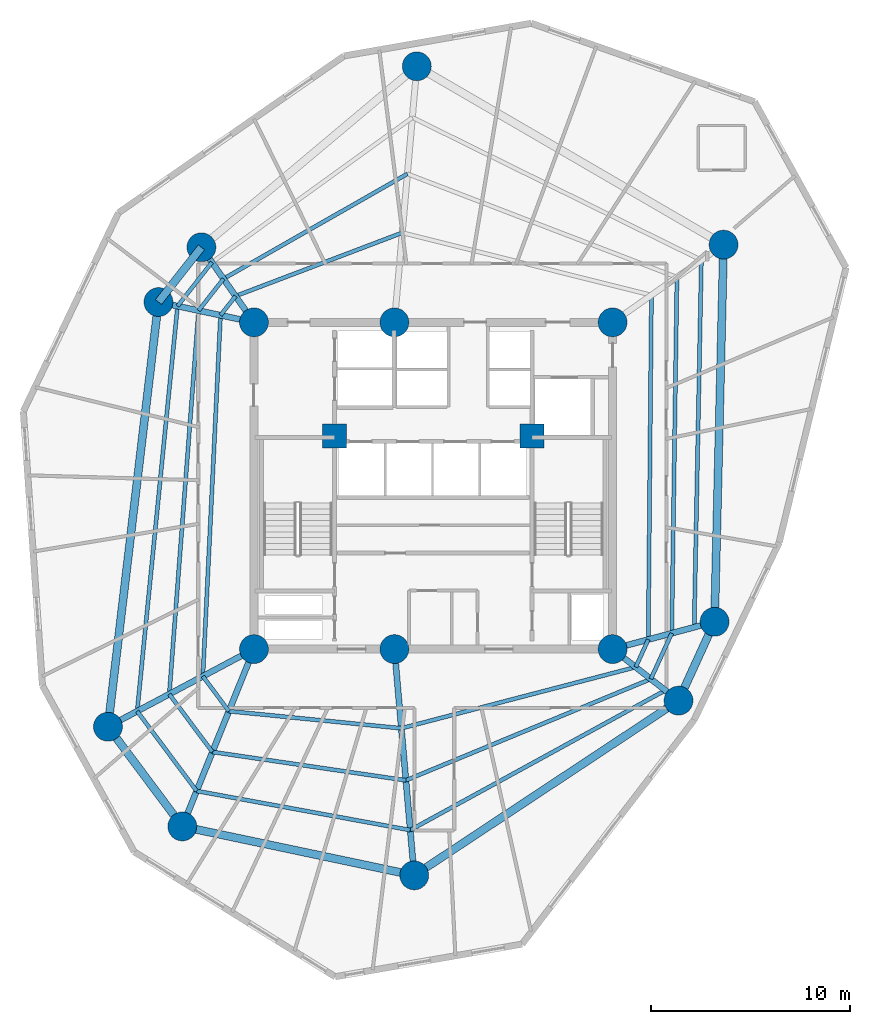
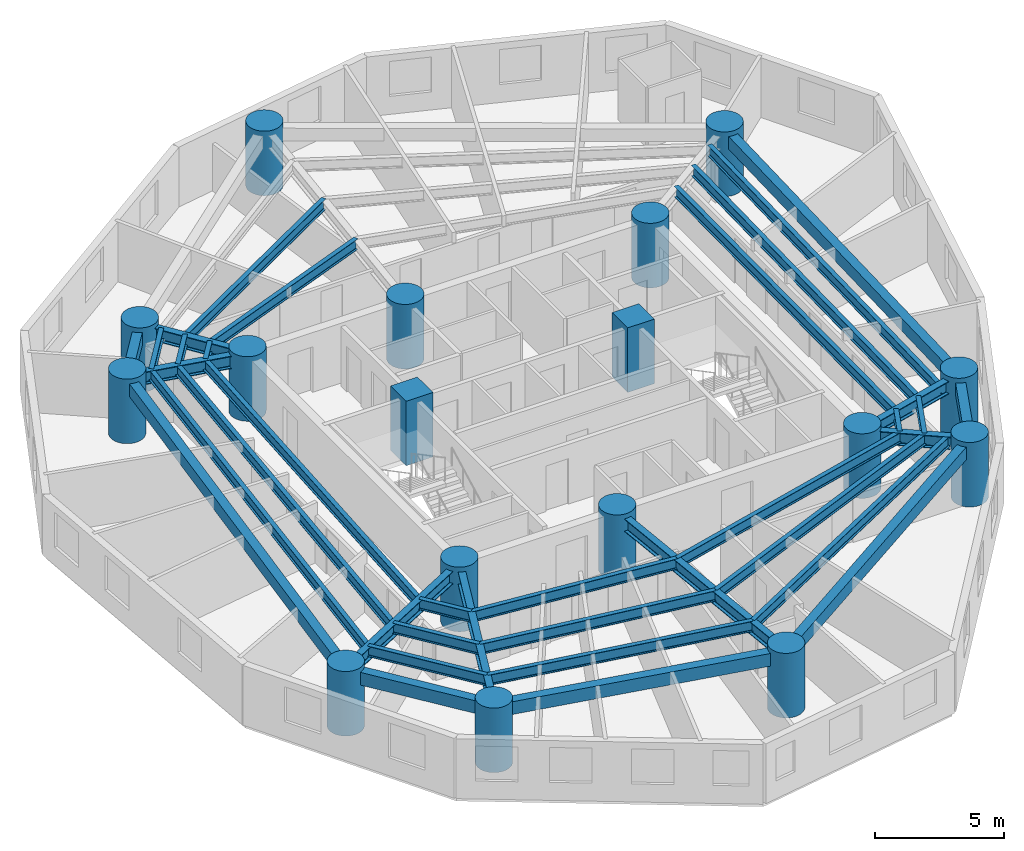
# One storey, part 1 of 7: 36 beams, 17 columns.
"""IFC4 building model written with IfcOpenShell, lengths in metres."""

from ifc_helpers import new_model, si_unit, direction, frame, origin, origin_with_axes, origin_2d, place, context, subcontext, project, spatial, rectangle, circle, i_section, extrude, source, transform, mapped, material, material_profile, profile_set, type_object, element, save


model = new_model("IFC4")

# Units and contexts
model_context = context("Model", 3, precision=1e-05, world=origin(), true_north=direction((0.0, 1.0)))
body_context = subcontext(model_context, "Body", "Model", "MODEL_VIEW")
ifc_project = project(units=[si_unit("LENGTHUNIT", "METRE"), si_unit("AREAUNIT", "SQUARE_METRE"), si_unit("VOLUMEUNIT", "CUBIC_METRE"), si_unit("PLANEANGLEUNIT", "RADIAN"), si_unit("MASSUNIT", "GRAM", prefix="KILO")], contexts=[model_context])

# Site, building, storey
site_placement = place(None, origin())
site = spatial("IfcSite", under=ifc_project, at=site_placement, CompositionType="ELEMENT")
building_placement = place(site_placement, origin())
building = spatial("IfcBuilding", under=site, at=building_placement, Name="Karkom Vertical University and Central Library", CompositionType="ELEMENT")
storey_placement = place(building_placement, frame((0.0, 0.0, 123.64990234375)))
storey = spatial("IfcBuildingStorey", under=building, at=storey_placement, Name="L34", CompositionType="ELEMENT", Elevation=123.64990234375)

# Columns
ifc_material_1 = material(Name="Concrete C50/60", Category="concrete")
ifc_material_profile_1 = material_profile(ifc_material_1, circle(Radius=0.72509765625, at=origin_2d()), Name="CFT-D1450")
ifc_profile_set_1 = profile_set([ifc_material_profile_1], Name="Concrete C50/60")
column_type_1 = type_object("IfcColumnType", Name="STR-COL-C-SC3", PredefinedType="COLUMN", material=ifc_profile_set_1)
shared_shape_1 = source(origin_with_axes(), body_context, "Body", "SweptSolid", [
    extrude(circle(Radius=0.72509765625, at=origin_2d()), origin(), (0.0, 0.0, 1.0), 3.050048828125),
])
for number, where, z_axis, x_axis, name in (
    (1, (19.5, 18.300048828125, 0.0), (0.0, 0.0, 1.0), (1.0, 0.0, 0.0), "Level 34 Spine Mega-Column SC-1"),
    (2, (26.550048828125, 18.300048828125, 0.0), (0.0, 0.0, 1.0), (1.0, 0.0, 0.0), "Level 34 Spine Mega-Column SC-2"),
    (3, (37.5, 18.300048828125, 0.0), (0.0, 0.0, 1.0), (1.0, 0.0, 0.0), "Level 34 Spine Mega-Column SC-3"),
    (4, (19.5, 34.699951171875, 0.0), (0.0, 0.0, 1.0), (1.0, 0.0, 0.0), "Level 34 Spine Mega-Column SC-4"),
    (5, (26.550048828125, 34.699951171875, 0.0), (0.0, 0.0, 1.0), (1.0, 0.0, 0.0), "Level 34 Spine Mega-Column SC-5"),
    (6, (37.5, 34.699951171875, 0.0), (0.0, 0.0, 1.0), (1.0, 0.0, 0.0), "Level 34 Spine Mega-Column SC-6"),
    (7, (42.618896484375, 19.672119140625, 0.0), (0.0, 0.0, 1.0), (1.0, 0.0, 0.0), "Level 34 Perimeter Mega-Column Z2-PC1"),
    (8, (43.070068359375, 38.60009765625, 0.0), (0.0, 0.0, 1.0), (1.0, 0.0, 0.0), "Level 34 Perimeter Mega-Column Z2-PC2"),
    (9, (27.674072265625, 47.551025390625, 0.0), (0.0, 0.0, 1.0), (1.0, 0.0, 0.0), "Level 34 Perimeter Mega-Column Z2-PC3"),
    (10, (16.862060546875, 38.468017578125, 0.0), (0.0, 0.0, 1.0), (1.0, 0.0, 0.0), "Level 34 Perimeter Mega-Column Z2-PC4"),
    (11, (14.70703125, 35.718994140625, 0.0), (0.0, 0.0, 1.0), (1.0, 0.0, 0.0), "Level 34 Perimeter Mega-Column Z2-PC5"),
    (12, (12.172119140625, 14.403076171875, 0.0), (0.0, 0.0, 1.0), (1.0, 0.0, 0.0), "Level 34 Perimeter Mega-Column Z2-PC6"),
    (13, (15.904052734375, 9.39892578125, 0.0), (0.0, 0.0, 1.0), (1.0, 0.0, 0.0), "Level 34 Perimeter Mega-Column Z2-PC7"),
    (14, (27.5439453125, 6.943115234375, 0.0), (0.0, 0.0, 1.0), (1.0, 0.0, 0.0), "Level 34 Perimeter Mega-Column Z2-PC8"),
    (15, (40.81005859375, 15.714111328125, 0.0), (0.0, 0.0, 1.0), (1.0, 0.0, 0.0), "Level 34 Perimeter Mega-Column Z2-PC9"),
):
    element("IfcColumn", number, at=place(storey_placement, frame(where, z_axis=z_axis, x_axis=x_axis)), inside=storey, type_object=column_type_1, Name=name, PredefinedType="COLUMN", context=body_context, shape_type="MappedRepresentation", body=[
        mapped(shared_shape_1, transform((0.0, 0.0, 0.0), scale=1.0)),
    ])
ifc_material_profile_2 = material_profile(ifc_material_1, rectangle(XDim=1.199951171875, YDim=1.199951171875, at=origin_2d()), Name="RC-1200x1200")
ifc_profile_set_2 = profile_set([ifc_material_profile_2], Name="Concrete C50/60")
column_type_2 = type_object("IfcColumnType", Name="STR-COL-C-CC1", PredefinedType="COLUMN", material=ifc_profile_set_2)
shared_shape_2 = source(origin_with_axes(), body_context, "Body", "SweptSolid", [
    extrude(rectangle(XDim=1.199951171875, YDim=1.199951171875, at=origin_2d()), origin(), (0.0, 0.0, 1.0), 3.050048828125),
])
for number, where, z_axis, x_axis, name in (
    (16, (23.550048828125, 29.0, 0.0), (0.0, 0.0, 1.0), (1.0, 0.0, 0.0), "Level 34 Core Node Column CC-1"),
    (17, (33.449951171875, 29.0, 0.0), (0.0, 0.0, 1.0), (1.0, 0.0, 0.0), "Level 34 Core Node Column CC-2"),
):
    element("IfcColumn", number, at=place(storey_placement, frame(where, z_axis=z_axis, x_axis=x_axis)), inside=storey, type_object=column_type_2, Name=name, PredefinedType="COLUMN", context=body_context, shape_type="MappedRepresentation", body=[
        mapped(shared_shape_2, transform((0.0, 0.0, 0.0), scale=1.0)),
    ])

# Beams
ifc_material_2 = material(Name="Precast concrete C45/55", Category="concrete")
ifc_material_profile_3 = material_profile(ifc_material_2, rectangle(XDim=0.39990234375, YDim=0.60009765625, at=origin_2d()), Name="SPB-400x600")
ifc_profile_set_3 = profile_set([ifc_material_profile_3], Name="Precast concrete C45/55")
beam_type_1 = type_object("IfcBeamType", Name="STR-BM-SP-1", PredefinedType="SPANDREL", material=ifc_profile_set_3)
shared_shape_3 = source(origin_with_axes(), body_context, "Body", "SweptSolid", [
    extrude(rectangle(XDim=0.39990234375, YDim=0.60009765625, at=origin_2d()), origin(), (0.0, 0.0, 1.0), 18.933349609375),
])
beam_1_placement = place(storey_placement, frame((42.618896484375, 19.672119140625, 2.525146484375), z_axis=(0.02382947333, 0.999716037783, 0.0), x_axis=(-0.999716037783, 0.02382947333, 0.0)))
element("IfcBeam", 18, at=beam_1_placement, inside=storey, type_object=beam_type_1, Name="Level 34 Perimeter Spandrel Beam 01", PredefinedType="SPANDREL", context=body_context, shape_type="MappedRepresentation", body=[
    mapped(shared_shape_3, transform((0.0, 0.0, 0.0), scale=1.0)),
])
shared_shape_4 = source(origin_with_axes(), body_context, "Body", "SweptSolid", [
    extrude(rectangle(XDim=0.39990234375, YDim=0.60009765625, at=origin_2d()), origin(), (0.0, 0.0, 1.0), 3.492919921875),
])
beam_2_placement = place(storey_placement, frame((16.862060546875, 38.468017578125, 2.525146484375), z_axis=(-0.616950700538, -0.787001799938, 0.0), x_axis=(0.787001799938, -0.616950700538, 0.0)))
element("IfcBeam", 19, at=beam_2_placement, inside=storey, type_object=beam_type_1, Name="Level 34 Perimeter Spandrel Beam 04", PredefinedType="SPANDREL", context=body_context, shape_type="MappedRepresentation", body=[
    mapped(shared_shape_4, transform((0.0, 0.0, 0.0), scale=1.0)),
])
shared_shape_5 = source(origin_with_axes(), body_context, "Body", "SweptSolid", [
    extrude(rectangle(XDim=0.39990234375, YDim=0.60009765625, at=origin_2d()), origin(), (0.0, 0.0, 1.0), 21.466064453125),
])
beam_3_placement = place(storey_placement, frame((14.70703125, 35.718994140625, 2.525146484375), z_axis=(-0.118088996795, -0.993003015522, 0.0), x_axis=(0.993003015522, -0.118088996795, 0.0)))
element("IfcBeam", 20, at=beam_3_placement, inside=storey, type_object=beam_type_1, Name="Level 34 Perimeter Spandrel Beam 05", PredefinedType="SPANDREL", context=body_context, shape_type="MappedRepresentation", body=[
    mapped(shared_shape_5, transform((0.0, 0.0, 0.0), scale=1.0)),
])
shared_shape_6 = source(origin_with_axes(), body_context, "Body", "SweptSolid", [
    extrude(rectangle(XDim=0.39990234375, YDim=0.60009765625, at=origin_2d()), origin(), (0.0, 0.0, 1.0), 6.242431640625),
])
beam_4_placement = place(storey_placement, frame((12.172119140625, 14.403076171875, 2.525146484375), z_axis=(0.59782643552, -0.801625569074, 0.0), x_axis=(0.801625569074, 0.59782643552, 0.0)))
element("IfcBeam", 21, at=beam_4_placement, inside=storey, type_object=beam_type_1, Name="Level 34 Perimeter Spandrel Beam 06", PredefinedType="SPANDREL", context=body_context, shape_type="MappedRepresentation", body=[
    mapped(shared_shape_6, transform((0.0, 0.0, 0.0), scale=1.0)),
])
shared_shape_7 = source(origin_with_axes(), body_context, "Body", "SweptSolid", [
    extrude(rectangle(XDim=0.39990234375, YDim=0.60009765625, at=origin_2d()), origin(), (0.0, 0.0, 1.0), 11.896240234375),
])
beam_5_placement = place(storey_placement, frame((15.904052734375, 9.39892578125, 2.525146484375), z_axis=(0.978459762135, -0.206437627101, 0.0), x_axis=(0.206437627101, 0.978459762135, 0.0)))
element("IfcBeam", 22, at=beam_5_placement, inside=storey, type_object=beam_type_1, Name="Level 34 Perimeter Spandrel Beam 07", PredefinedType="SPANDREL", context=body_context, shape_type="MappedRepresentation", body=[
    mapped(shared_shape_7, transform((0.0, 0.0, 0.0), scale=1.0)),
])
shared_shape_8 = source(origin_with_axes(), body_context, "Body", "SweptSolid", [
    extrude(rectangle(XDim=0.39990234375, YDim=0.60009765625, at=origin_2d()), origin(), (0.0, 0.0, 1.0), 15.903564453125),
])
beam_6_placement = place(storey_placement, frame((27.5439453125, 6.943115234375, 2.525146484375), z_axis=(0.834165069331, 0.551514856652, 0.0), x_axis=(-0.551514856652, 0.834165069331, 0.0)))
element("IfcBeam", 23, at=beam_6_placement, inside=storey, type_object=beam_type_1, Name="Level 34 Perimeter Spandrel Beam 08", PredefinedType="SPANDREL", context=body_context, shape_type="MappedRepresentation", body=[
    mapped(shared_shape_8, transform((0.0, 0.0, 0.0), scale=1.0)),
])
shared_shape_9 = source(origin_with_axes(), body_context, "Body", "SweptSolid", [
    extrude(rectangle(XDim=0.39990234375, YDim=0.60009765625, at=origin_2d()), origin(), (0.0, 0.0, 1.0), 4.351806640625),
])
beam_7_placement = place(storey_placement, frame((40.81005859375, 15.714111328125, 2.525146484375), z_axis=(0.415657668422, 0.909521139217, 0.0), x_axis=(-0.909521139217, 0.415657668422, 0.0)))
element("IfcBeam", 24, at=beam_7_placement, inside=storey, type_object=beam_type_1, Name="Level 34 Perimeter Spandrel Beam 09", PredefinedType="SPANDREL", context=body_context, shape_type="MappedRepresentation", body=[
    mapped(shared_shape_9, transform((0.0, 0.0, 0.0), scale=1.0)),
])
ifc_material_3 = material(Name="Steel S355", Category="steel")
ifc_material_profile_4 = material_profile(ifc_material_3, i_section(OverallWidth=0.199951171875, OverallDepth=0.5, WebThickness=0.01025390625, FlangeThickness=0.01611328125, FilletRadius=0.02099609375, at=origin_2d()), Name="IPE 500")
ifc_profile_set_4 = profile_set([ifc_material_profile_4], Name="Steel S355")
beam_type_2 = type_object("IfcBeamType", Name="STR-BM-SB-IPE500", PredefinedType="BEAM", material=ifc_profile_set_4)
shared_shape_10 = source(origin_with_axes(), body_context, "Body", "SweptSolid", [
    extrude(i_section(OverallWidth=0.199951171875, OverallDepth=0.5, WebThickness=0.01025390625, FlangeThickness=0.01611328125, FilletRadius=0.02099609375, at=origin_2d()), origin(), (0.0, 0.0, 1.0), 17.285400390625),
])
beam_8_placement = place(storey_placement, frame((39.29150390625, 18.7802734375, 2.5751953125), z_axis=(0.009138294648, 0.999958244914, 0.0), x_axis=(-0.999958244914, 0.009138294648, 0.0)))
element("IfcBeam", 25, at=beam_8_placement, inside=storey, type_object=beam_type_2, Name="Level 34 Secondary Composite Floor Beam 1.01", PredefinedType="BEAM", context=body_context, shape_type="MappedRepresentation", body=[
    mapped(shared_shape_10, transform((0.0, 0.0, 0.0), scale=1.0)),
])
shared_shape_11 = source(origin_with_axes(), body_context, "Body", "SweptSolid", [
    extrude(i_section(OverallWidth=0.199951171875, OverallDepth=0.5, WebThickness=0.01025390625, FlangeThickness=0.01611328125, FilletRadius=0.02099609375, at=origin_2d()), origin(), (0.0, 0.0, 1.0), 8.950439453125),
])
beam_9_placement = place(storey_placement, frame((26.943359375, 39.197998046875, 2.5751953125), z_axis=(-0.93478901494, -0.355203459368, 0.0), x_axis=(0.355203459368, -0.93478901494, 0.0)))
element("IfcBeam", 26, at=beam_9_placement, inside=storey, type_object=beam_type_2, Name="Level 34 Secondary Composite Floor Beam 1.03", PredefinedType="BEAM", context=body_context, shape_type="MappedRepresentation", body=[
    mapped(shared_shape_11, transform((0.0, 0.0, 0.0), scale=1.0)),
])
shared_shape_12 = source(origin_with_axes(), body_context, "Body", "SweptSolid", [
    extrude(i_section(OverallWidth=0.199951171875, OverallDepth=0.5, WebThickness=0.01025390625, FlangeThickness=0.01611328125, FilletRadius=0.02099609375, at=origin_2d()), origin(), (0.0, 0.0, 1.0), 1.222412109375),
])
beam_10_placement = place(storey_placement, frame((18.57666015625, 36.018798828125, 2.5751953125), z_axis=(-0.616895037184, -0.787045432677, 0.0), x_axis=(0.787045432677, -0.616895037184, 0.0)))
element("IfcBeam", 27, at=beam_10_placement, inside=storey, type_object=beam_type_2, Name="Level 34 Secondary Composite Floor Beam 1.04", PredefinedType="BEAM", context=body_context, shape_type="MappedRepresentation", body=[
    mapped(shared_shape_12, transform((0.0, 0.0, 0.0), scale=1.0)),
])
shared_shape_13 = source(origin_with_axes(), body_context, "Body", "SweptSolid", [
    extrude(i_section(OverallWidth=0.199951171875, OverallDepth=0.5, WebThickness=0.01025390625, FlangeThickness=0.01611328125, FilletRadius=0.02099609375, at=origin_2d()), origin(), (0.0, 0.0, 1.0), 18.142333984375),
])
beam_11_placement = place(storey_placement, frame((17.822509765625, 35.056640625, 2.5751953125), z_axis=(-0.048902644774, -0.998803549921, 0.0), x_axis=(0.998803549921, -0.048902644774, 0.0)))
element("IfcBeam", 28, at=beam_11_placement, inside=storey, type_object=beam_type_2, Name="Level 34 Secondary Composite Floor Beam 1.05", PredefinedType="BEAM", context=body_context, shape_type="MappedRepresentation", body=[
    mapped(shared_shape_13, transform((0.0, 0.0, 0.0), scale=1.0)),
])
shared_shape_14 = source(origin_with_axes(), body_context, "Body", "SweptSolid", [
    extrude(i_section(OverallWidth=0.199951171875, OverallDepth=0.5, WebThickness=0.01025390625, FlangeThickness=0.01611328125, FilletRadius=0.02099609375, at=origin_2d()), origin(), (0.0, 0.0, 1.0), 2.1845703125),
])
beam_12_placement = place(storey_placement, frame((16.935302734375, 16.93603515625, 2.5751953125), z_axis=(0.597870130664, -0.801592980795, 0.0), x_axis=(0.801592980795, 0.597870130664, 0.0)))
element("IfcBeam", 29, at=beam_12_placement, inside=storey, type_object=beam_type_2, Name="Level 34 Secondary Composite Floor Beam 1.06", PredefinedType="BEAM", context=body_context, shape_type="MappedRepresentation", body=[
    mapped(shared_shape_14, transform((0.0, 0.0, 0.0), scale=1.0)),
])
shared_shape_15 = source(origin_with_axes(), body_context, "Body", "SweptSolid", [
    extrude(i_section(OverallWidth=0.199951171875, OverallDepth=0.5, WebThickness=0.01025390625, FlangeThickness=0.01611328125, FilletRadius=0.02099609375, at=origin_2d()), origin(), (0.0, 0.0, 1.0), 8.698974609375),
])
beam_13_placement = place(storey_placement, frame((18.241455078125, 15.184814453125, 2.5751953125), z_axis=(0.995105588045, -0.098817349903, 0.0), x_axis=(0.098817349903, 0.995105588045, 0.0)))
element("IfcBeam", 30, at=beam_13_placement, inside=storey, type_object=beam_type_2, Name="Level 34 Secondary Composite Floor Beam 1.07", PredefinedType="BEAM", context=body_context, shape_type="MappedRepresentation", body=[
    mapped(shared_shape_15, transform((0.0, 0.0, 0.0), scale=1.0)),
])
shared_shape_16 = source(origin_with_axes(), body_context, "Body", "SweptSolid", [
    extrude(i_section(OverallWidth=0.199951171875, OverallDepth=0.5, WebThickness=0.01025390625, FlangeThickness=0.01611328125, FilletRadius=0.02099609375, at=origin_2d()), origin(), (0.0, 0.0, 1.0), 12.154541015625),
])
beam_14_placement = place(storey_placement, frame((26.89794921875, 14.3251953125, 2.5751953125), z_axis=(0.967579719768, 0.252565805077, 0.0), x_axis=(-0.252565805077, 0.967579719768, 0.0)))
element("IfcBeam", 31, at=beam_14_placement, inside=storey, type_object=beam_type_2, Name="Level 34 Secondary Composite Floor Beam 1.08", PredefinedType="BEAM", context=body_context, shape_type="MappedRepresentation", body=[
    mapped(shared_shape_16, transform((0.0, 0.0, 0.0), scale=1.0)),
])
shared_shape_17 = source(origin_with_axes(), body_context, "Body", "SweptSolid", [
    extrude(i_section(OverallWidth=0.199951171875, OverallDepth=0.5, WebThickness=0.01025390625, FlangeThickness=0.01611328125, FilletRadius=0.02099609375, at=origin_2d()), origin(), (0.0, 0.0, 1.0), 1.52294921875),
])
beam_15_placement = place(storey_placement, frame((38.658447265625, 17.39501953125, 2.5751953125), z_axis=(0.415649898107, 0.909524690266, 0.0), x_axis=(-0.909524690266, 0.415649898107, 0.0)))
element("IfcBeam", 32, at=beam_15_placement, inside=storey, type_object=beam_type_2, Name="Level 34 Secondary Composite Floor Beam 1.09", PredefinedType="BEAM", context=body_context, shape_type="MappedRepresentation", body=[
    mapped(shared_shape_17, transform((0.0, 0.0, 0.0), scale=1.0)),
])
shared_shape_18 = source(origin_with_axes(), body_context, "Body", "SweptSolid", [
    extrude(i_section(OverallWidth=0.199951171875, OverallDepth=0.5, WebThickness=0.01025390625, FlangeThickness=0.01611328125, FilletRadius=0.02099609375, at=origin_2d()), origin(), (0.0, 0.0, 1.0), 17.8681640625),
])
beam_16_placement = place(storey_placement, frame((40.468994140625, 19.095703125, 2.5751953125), z_axis=(0.014647239676, 0.999892723431, 0.0), x_axis=(-0.999892723431, 0.014647239676, 0.0)))
element("IfcBeam", 33, at=beam_16_placement, inside=storey, type_object=beam_type_2, Name="Level 34 Secondary Composite Floor Beam 2.01", PredefinedType="BEAM", context=body_context, shape_type="MappedRepresentation", body=[
    mapped(shared_shape_18, transform((0.0, 0.0, 0.0), scale=1.0)),
])
shared_shape_19 = source(origin_with_axes(), body_context, "Body", "SweptSolid", [
    extrude(i_section(OverallWidth=0.199951171875, OverallDepth=0.5, WebThickness=0.01025390625, FlangeThickness=0.01611328125, FilletRadius=0.02099609375, at=origin_2d()), origin(), (0.0, 0.0, 1.0), 10.629150390625),
])
beam_17_placement = place(storey_placement, frame((27.201904296875, 42.153564453125, 2.5751953125), z_axis=(-0.868539813491, -0.495619402748, 0.0), x_axis=(0.495619402748, -0.868539813491, 0.0)))
element("IfcBeam", 34, at=beam_17_placement, inside=storey, type_object=beam_type_2, Name="Level 34 Secondary Composite Floor Beam 2.03", PredefinedType="BEAM", context=body_context, shape_type="MappedRepresentation", body=[
    mapped(shared_shape_19, transform((0.0, 0.0, 0.0), scale=1.0)),
])
shared_shape_20 = source(origin_with_axes(), body_context, "Body", "SweptSolid", [
    extrude(i_section(OverallWidth=0.199951171875, OverallDepth=0.5, WebThickness=0.01025390625, FlangeThickness=0.01611328125, FilletRadius=0.02099609375, at=origin_2d()), origin(), (0.0, 0.0, 1.0), 2.02587890625),
])
beam_18_placement = place(storey_placement, frame((17.969970703125, 36.885498046875, 2.5751953125), z_axis=(-0.616889733535, -0.787049589708, 0.0), x_axis=(0.787049589708, -0.616889733535, 0.0)))
element("IfcBeam", 35, at=beam_18_placement, inside=storey, type_object=beam_type_2, Name="Level 34 Secondary Composite Floor Beam 2.04", PredefinedType="BEAM", context=body_context, shape_type="MappedRepresentation", body=[
    mapped(shared_shape_20, transform((0.0, 0.0, 0.0), scale=1.0)),
])
shared_shape_21 = source(origin_with_axes(), body_context, "Body", "SweptSolid", [
    extrude(i_section(OverallWidth=0.199951171875, OverallDepth=0.5, WebThickness=0.01025390625, FlangeThickness=0.01611328125, FilletRadius=0.02099609375, at=origin_2d()), origin(), (0.0, 0.0, 1.0), 19.307373046875),
])
beam_19_placement = place(storey_placement, frame((16.72021484375, 35.291015625, 2.5751953125), z_axis=(-0.07616078645, -0.997095549387, 0.0), x_axis=(0.997095549387, -0.07616078645, 0.0)))
element("IfcBeam", 36, at=beam_19_placement, inside=storey, type_object=beam_type_2, Name="Level 34 Secondary Composite Floor Beam 2.05", PredefinedType="BEAM", context=body_context, shape_type="MappedRepresentation", body=[
    mapped(shared_shape_21, transform((0.0, 0.0, 0.0), scale=1.0)),
])
shared_shape_22 = source(origin_with_axes(), body_context, "Body", "SweptSolid", [
    extrude(i_section(OverallWidth=0.199951171875, OverallDepth=0.5, WebThickness=0.01025390625, FlangeThickness=0.01611328125, FilletRadius=0.02099609375, at=origin_2d()), origin(), (0.0, 0.0, 1.0), 3.62060546875),
])
beam_20_placement = place(storey_placement, frame((15.249755859375, 16.039794921875, 2.5751953125), z_axis=(0.59784003707, -0.801615425298, 0.0), x_axis=(0.801615425298, 0.59784003707, 0.0)))
element("IfcBeam", 37, at=beam_20_placement, inside=storey, type_object=beam_type_2, Name="Level 34 Secondary Composite Floor Beam 2.06", PredefinedType="BEAM", context=body_context, shape_type="MappedRepresentation", body=[
    mapped(shared_shape_22, transform((0.0, 0.0, 0.0), scale=1.0)),
])
shared_shape_23 = source(origin_with_axes(), body_context, "Body", "SweptSolid", [
    extrude(i_section(OverallWidth=0.199951171875, OverallDepth=0.5, WebThickness=0.01025390625, FlangeThickness=0.01611328125, FilletRadius=0.02099609375, at=origin_2d()), origin(), (0.0, 0.0, 1.0), 9.816162109375),
])
beam_21_placement = place(storey_placement, frame((17.414306640625, 13.137451171875, 2.5751953125), z_axis=(0.989413295367, -0.145125225069, 0.0), x_axis=(0.145125225069, 0.989413295367, 0.0)))
element("IfcBeam", 38, at=beam_21_placement, inside=storey, type_object=beam_type_2, Name="Level 34 Secondary Composite Floor Beam 2.07", PredefinedType="BEAM", context=body_context, shape_type="MappedRepresentation", body=[
    mapped(shared_shape_23, transform((0.0, 0.0, 0.0), scale=1.0)),
])
shared_shape_24 = source(origin_with_axes(), body_context, "Body", "SweptSolid", [
    extrude(i_section(OverallWidth=0.199951171875, OverallDepth=0.5, WebThickness=0.01025390625, FlangeThickness=0.01611328125, FilletRadius=0.02099609375, at=origin_2d()), origin(), (0.0, 0.0, 1.0), 13.304443359375),
])
beam_22_placement = place(storey_placement, frame((27.12646484375, 11.712890625, 2.5751953125), z_axis=(0.924011243398, 0.382365299255, 0.0), x_axis=(-0.382365299255, 0.924011243398, 0.0)))
element("IfcBeam", 39, at=beam_22_placement, inside=storey, type_object=beam_type_2, Name="Level 34 Secondary Composite Floor Beam 2.08", PredefinedType="BEAM", context=body_context, shape_type="MappedRepresentation", body=[
    mapped(shared_shape_24, transform((0.0, 0.0, 0.0), scale=1.0)),
])
shared_shape_25 = source(origin_with_axes(), body_context, "Body", "SweptSolid", [
    extrude(i_section(OverallWidth=0.199951171875, OverallDepth=0.5, WebThickness=0.01025390625, FlangeThickness=0.01611328125, FilletRadius=0.02099609375, at=origin_2d()), origin(), (0.0, 0.0, 1.0), 2.52392578125),
])
beam_23_placement = place(storey_placement, frame((39.419921875, 16.800048828125, 2.5751953125), z_axis=(0.415638602127, 0.909529852408, 0.0), x_axis=(-0.909529852408, 0.415638602127, 0.0)))
element("IfcBeam", 40, at=beam_23_placement, inside=storey, type_object=beam_type_2, Name="Level 34 Secondary Composite Floor Beam 2.09", PredefinedType="BEAM", context=body_context, shape_type="MappedRepresentation", body=[
    mapped(shared_shape_25, transform((0.0, 0.0, 0.0), scale=1.0)),
])
shared_shape_26 = source(origin_with_axes(), body_context, "Body", "SweptSolid", [
    extrude(i_section(OverallWidth=0.199951171875, OverallDepth=0.5, WebThickness=0.01025390625, FlangeThickness=0.01611328125, FilletRadius=0.02099609375, at=origin_2d()), origin(), (0.0, 0.0, 1.0), 18.42578125),
])
beam_24_placement = place(storey_placement, frame((41.59521484375, 19.397705078125, 2.5751953125), z_axis=(0.019583298818, 0.999808228816, 0.0), x_axis=(-0.999808228816, 0.019583298818, 0.0)))
element("IfcBeam", 41, at=beam_24_placement, inside=storey, type_object=beam_type_2, Name="Level 34 Secondary Composite Floor Beam 3.01", PredefinedType="BEAM", context=body_context, shape_type="MappedRepresentation", body=[
    mapped(shared_shape_26, transform((0.0, 0.0, 0.0), scale=1.0)),
])
shared_shape_27 = source(origin_with_axes(), body_context, "Body", "SweptSolid", [
    extrude(i_section(OverallWidth=0.199951171875, OverallDepth=0.5, WebThickness=0.01025390625, FlangeThickness=0.01611328125, FilletRadius=0.02099609375, at=origin_2d()), origin(), (0.0, 0.0, 1.0), 2.79443359375),
])
beam_25_placement = place(storey_placement, frame((17.3896484375, 37.71435546875, 2.5751953125), z_axis=(-0.616972344898, -0.786984831894, 0.0), x_axis=(0.786984831894, -0.616972344898, 0.0)))
element("IfcBeam", 42, at=beam_25_placement, inside=storey, type_object=beam_type_2, Name="Level 34 Secondary Composite Floor Beam 3.04", PredefinedType="BEAM", context=body_context, shape_type="MappedRepresentation", body=[
    mapped(shared_shape_27, transform((0.0, 0.0, 0.0), scale=1.0)),
])
shared_shape_28 = source(origin_with_axes(), body_context, "Body", "SweptSolid", [
    extrude(i_section(OverallWidth=0.199951171875, OverallDepth=0.5, WebThickness=0.01025390625, FlangeThickness=0.01611328125, FilletRadius=0.02099609375, at=origin_2d()), origin(), (0.0, 0.0, 1.0), 20.43359375),
])
beam_26_placement = place(storey_placement, frame((15.66552734375, 35.51513671875, 2.5751953125), z_axis=(-0.099239913611, -0.995063535432, 0.0), x_axis=(0.995063535432, -0.099239913611, 0.0)))
element("IfcBeam", 43, at=beam_26_placement, inside=storey, type_object=beam_type_2, Name="Level 34 Secondary Composite Floor Beam 3.05", PredefinedType="BEAM", context=body_context, shape_type="MappedRepresentation", body=[
    mapped(shared_shape_28, transform((0.0, 0.0, 0.0), scale=1.0)),
])
shared_shape_29 = source(origin_with_axes(), body_context, "Body", "SweptSolid", [
    extrude(i_section(OverallWidth=0.199951171875, OverallDepth=0.5, WebThickness=0.01025390625, FlangeThickness=0.01611328125, FilletRadius=0.02099609375, at=origin_2d()), origin(), (0.0, 0.0, 1.0), 4.993896484375),
])
beam_27_placement = place(storey_placement, frame((13.6376953125, 15.182373046875, 2.5751953125), z_axis=(0.597846775537, -0.801610399745, 0.0), x_axis=(0.801610399745, 0.597846775537, 0.0)))
element("IfcBeam", 44, at=beam_27_placement, inside=storey, type_object=beam_type_2, Name="Level 34 Secondary Composite Floor Beam 3.06", PredefinedType="BEAM", context=body_context, shape_type="MappedRepresentation", body=[
    mapped(shared_shape_29, transform((0.0, 0.0, 0.0), scale=1.0)),
])
shared_shape_30 = source(origin_with_axes(), body_context, "Body", "SweptSolid", [
    extrude(i_section(OverallWidth=0.199951171875, OverallDepth=0.5, WebThickness=0.01025390625, FlangeThickness=0.01611328125, FilletRadius=0.02099609375, at=origin_2d()), origin(), (0.0, 0.0, 1.0), 10.900390625),
])
beam_28_placement = place(storey_placement, frame((16.623291015625, 11.17919921875, 2.5751953125), z_axis=(0.98362026014, -0.180253110495, 0.0), x_axis=(0.180253110495, 0.98362026014, 0.0)))
element("IfcBeam", 45, at=beam_28_placement, inside=storey, type_object=beam_type_2, Name="Level 34 Secondary Composite Floor Beam 3.07", PredefinedType="BEAM", context=body_context, shape_type="MappedRepresentation", body=[
    mapped(shared_shape_30, transform((0.0, 0.0, 0.0), scale=1.0)),
])
shared_shape_31 = source(origin_with_axes(), body_context, "Body", "SweptSolid", [
    extrude(i_section(OverallWidth=0.199951171875, OverallDepth=0.5, WebThickness=0.01025390625, FlangeThickness=0.01611328125, FilletRadius=0.02099609375, at=origin_2d()), origin(), (0.0, 0.0, 1.0), 14.599609375),
])
beam_29_placement = place(storey_placement, frame((27.34521484375, 9.21435546875, 2.5751953125), z_axis=(0.876928143127, 0.480621505752, 0.0), x_axis=(-0.480621505752, 0.876928143127, 0.0)))
element("IfcBeam", 46, at=beam_29_placement, inside=storey, type_object=beam_type_2, Name="Level 34 Secondary Composite Floor Beam 3.08", PredefinedType="BEAM", context=body_context, shape_type="MappedRepresentation", body=[
    mapped(shared_shape_31, transform((0.0, 0.0, 0.0), scale=1.0)),
])
ifc_material_profile_5 = material_profile(ifc_material_3, i_section(OverallWidth=0.300048828125, OverallDepth=0.60009765625, WebThickness=0.015380859375, FlangeThickness=0.030029296875, FilletRadius=0.027099609375, at=origin_2d()), Name="HE 600 B")
ifc_profile_set_5 = profile_set([ifc_material_profile_5], Name="Steel S355")
beam_type_3 = type_object("IfcBeamType", Name="STR-BM-SB-HE600", PredefinedType="USERDEFINED", material=ifc_profile_set_5)
shared_shape_32 = source(origin_with_axes(), body_context, "Body", "SweptSolid", [
    extrude(i_section(OverallWidth=0.300048828125, OverallDepth=0.60009765625, WebThickness=0.015380859375, FlangeThickness=0.030029296875, FilletRadius=0.027099609375, at=origin_2d()), origin(), (0.0, 0.0, 1.0), 5.299560546875),
])
beam_30_placement = place(storey_placement, frame((37.5, 18.300048828125, 2.525146484375), z_axis=(0.965903833688, 0.258901108663, 0.0), x_axis=(-0.258901108663, 0.965903833688, 0.0)))
element("IfcBeam", 47, at=beam_30_placement, inside=storey, type_object=beam_type_3, Name="Level 34 Radial Frame Girder 01", ObjectType="GIRDER", PredefinedType="USERDEFINED", context=body_context, shape_type="MappedRepresentation", body=[
    mapped(shared_shape_32, transform((0.0, 0.0, 0.0), scale=1.0)),
])
shared_shape_33 = source(origin_with_axes(), body_context, "Body", "SweptSolid", [
    extrude(i_section(OverallWidth=0.300048828125, OverallDepth=0.60009765625, WebThickness=0.015380859375, FlangeThickness=0.030029296875, FilletRadius=0.027099609375, at=origin_2d()), origin(), (0.0, 0.0, 1.0), 4.599609375),
])
beam_31_placement = place(storey_placement, frame((19.5, 34.699951171875, 2.525146484375), z_axis=(-0.573505090764, 0.819201996377, 0.0), x_axis=(-0.819201996377, -0.573505090764, 0.0)))
element("IfcBeam", 48, at=beam_31_placement, inside=storey, type_object=beam_type_3, Name="Level 34 Radial Frame Girder 04", ObjectType="GIRDER", PredefinedType="USERDEFINED", context=body_context, shape_type="MappedRepresentation", body=[
    mapped(shared_shape_33, transform((0.0, 0.0, 0.0), scale=1.0)),
])
shared_shape_34 = source(origin_with_axes(), body_context, "Body", "SweptSolid", [
    extrude(i_section(OverallWidth=0.300048828125, OverallDepth=0.60009765625, WebThickness=0.015380859375, FlangeThickness=0.030029296875, FilletRadius=0.027099609375, at=origin_2d()), origin(), (0.0, 0.0, 1.0), 4.900146484375),
])
beam_32_placement = place(storey_placement, frame((19.5, 34.699951171875, 2.525146484375), z_axis=(-0.978136559131, 0.207963630695, 0.0), x_axis=(-0.207963630695, -0.978136559131, 0.0)))
element("IfcBeam", 49, at=beam_32_placement, inside=storey, type_object=beam_type_3, Name="Level 34 Radial Frame Girder 05", ObjectType="GIRDER", PredefinedType="USERDEFINED", context=body_context, shape_type="MappedRepresentation", body=[
    mapped(shared_shape_34, transform((0.0, 0.0, 0.0), scale=1.0)),
])
shared_shape_35 = source(origin_with_axes(), body_context, "Body", "SweptSolid", [
    extrude(i_section(OverallWidth=0.300048828125, OverallDepth=0.60009765625, WebThickness=0.015380859375, FlangeThickness=0.030029296875, FilletRadius=0.027099609375, at=origin_2d()), origin(), (0.0, 0.0, 1.0), 8.299560546875),
])
beam_33_placement = place(storey_placement, frame((19.5, 18.300048828125, 2.525146484375), z_axis=(-0.882914163564, -0.469534428746, 0.0), x_axis=(0.469534428746, -0.882914163564, 0.0)))
element("IfcBeam", 50, at=beam_33_placement, inside=storey, type_object=beam_type_3, Name="Level 34 Radial Frame Girder 06", ObjectType="GIRDER", PredefinedType="USERDEFINED", context=body_context, shape_type="MappedRepresentation", body=[
    mapped(shared_shape_35, transform((0.0, 0.0, 0.0), scale=1.0)),
])
shared_shape_36 = source(origin_with_axes(), body_context, "Body", "SweptSolid", [
    extrude(i_section(OverallWidth=0.300048828125, OverallDepth=0.60009765625, WebThickness=0.015380859375, FlangeThickness=0.030029296875, FilletRadius=0.027099609375, at=origin_2d()), origin(), (0.0, 0.0, 1.0), 9.60009765625),
])
beam_34_placement = place(storey_placement, frame((19.5, 18.300048828125, 2.525146484375), z_axis=(-0.374576157034, -0.927196151082, 0.0), x_axis=(0.927196151082, -0.374576157034, 0.0)))
element("IfcBeam", 51, at=beam_34_placement, inside=storey, type_object=beam_type_3, Name="Level 34 Radial Frame Girder 07", ObjectType="GIRDER", PredefinedType="USERDEFINED", context=body_context, shape_type="MappedRepresentation", body=[
    mapped(shared_shape_36, transform((0.0, 0.0, 0.0), scale=1.0)),
])
shared_shape_37 = source(origin_with_axes(), body_context, "Body", "SweptSolid", [
    extrude(i_section(OverallWidth=0.300048828125, OverallDepth=0.60009765625, WebThickness=0.015380859375, FlangeThickness=0.030029296875, FilletRadius=0.027099609375, at=origin_2d()), origin(), (0.0, 0.0, 1.0), 11.400390625),
])
beam_35_placement = place(storey_placement, frame((26.550048828125, 18.300048828125, 2.525146484375), z_axis=(0.087181295702, -0.996192462168, 0.0), x_axis=(0.996192462168, 0.087181295702, 0.0)))
element("IfcBeam", 52, at=beam_35_placement, inside=storey, type_object=beam_type_3, Name="Level 34 Radial Frame Girder 08", ObjectType="GIRDER", PredefinedType="USERDEFINED", context=body_context, shape_type="MappedRepresentation", body=[
    mapped(shared_shape_37, transform((0.0, 0.0, 0.0), scale=1.0)),
])
shared_shape_38 = source(origin_with_axes(), body_context, "Body", "SweptSolid", [
    extrude(i_section(OverallWidth=0.300048828125, OverallDepth=0.60009765625, WebThickness=0.015380859375, FlangeThickness=0.030029296875, FilletRadius=0.027099609375, at=origin_2d()), origin(), (0.0, 0.0, 1.0), 4.200439453125),
])
beam_36_placement = place(storey_placement, frame((37.5, 18.300048828125, 2.525146484375), z_axis=(0.788029660796, -0.615637274461, 0.0), x_axis=(0.615637274461, 0.788029660796, 0.0)))
element("IfcBeam", 53, at=beam_36_placement, inside=storey, type_object=beam_type_3, Name="Level 34 Radial Frame Girder 09", ObjectType="GIRDER", PredefinedType="USERDEFINED", context=body_context, shape_type="MappedRepresentation", body=[
    mapped(shared_shape_38, transform((0.0, 0.0, 0.0), scale=1.0)),
])

save(model, "model.ifc")
